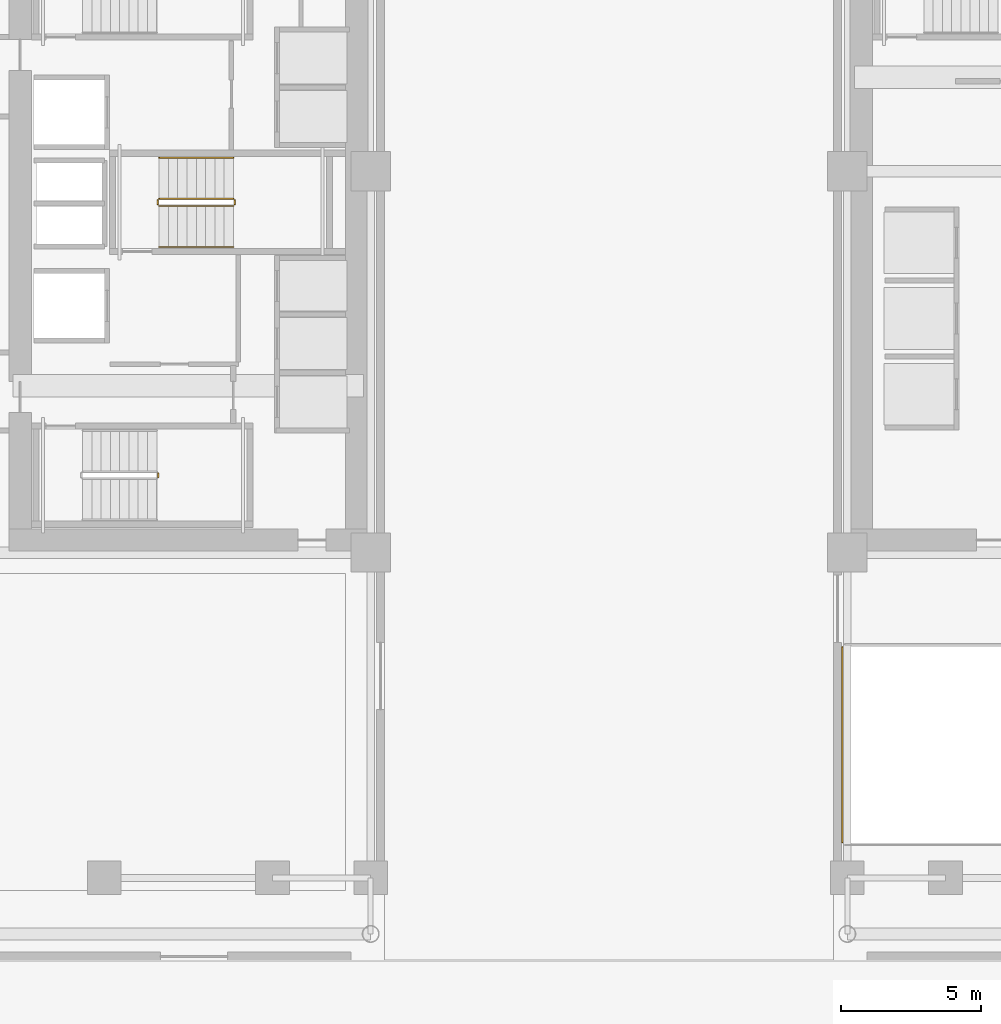
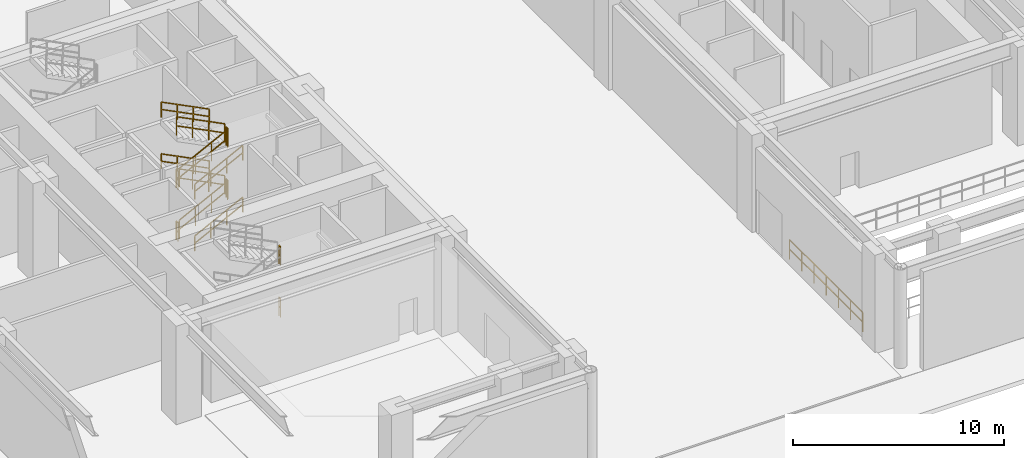
# One storey, part 12 of 17: 15 railings.
"""IFC4 building model written with IfcOpenShell, lengths in metres."""

from ifc_helpers import new_model, si_unit, direction, frame, origin, origin_2d, place, context, subcontext, project, spatial, rectangle, extrude, material, type_object, element, save


model = new_model("IFC4")

# Units and contexts
model_context = context("Model", 3, precision=1e-05, world=origin(), true_north=direction((0.0, 1.0)))
body_context = subcontext(model_context, "Body", "Model", "MODEL_VIEW")
ifc_project = project(units=[si_unit("LENGTHUNIT", "METRE"), si_unit("AREAUNIT", "SQUARE_METRE"), si_unit("VOLUMEUNIT", "CUBIC_METRE"), si_unit("PLANEANGLEUNIT", "RADIAN"), si_unit("MASSUNIT", "GRAM", prefix="KILO")], contexts=[model_context])

# Site, building, storey
site_placement = place(None, origin())
site = spatial("IfcSite", under=ifc_project, at=site_placement, CompositionType="ELEMENT")
building_placement = place(site_placement, origin())
building = spatial("IfcBuilding", under=site, at=building_placement, Name="Ocotamira Hotel", CompositionType="ELEMENT")
storey_placement = place(building_placement, origin())
storey = spatial("IfcBuildingStorey", under=building, at=storey_placement, Name="L01", CompositionType="ELEMENT", Elevation=0.0)

# Railings
ifc_material_1 = material(Name="Painted steel stair guardrail", Category="steel")
railing_type_1 = type_object("IfcRailingType", Name="RL-EDGE-1150", PredefinedType="GUARDRAIL", material=ifc_material_1)
railing_1_placement = place(storey_placement, frame((40.320068359375, 11.179931640625, 0.0)))
element("IfcRailing", 1, at=railing_1_placement, inside=storey, type_object=railing_type_1, Name="L01 Vehicle Ramp Well Guardrail W", PredefinedType="GUARDRAIL", context=body_context, shape_type="SweptSolid", body=[
    extrude(rectangle(XDim=0.048095703125, YDim=0.048095703125, at=origin_2d()), frame((0.0, 0.0, 1.1259765625), z_axis=(0.0, -1.0, 0.0), x_axis=(1.0, 0.0, 0.0)), (0.0, 0.0, 1.0), 6.9599609375),
    extrude(rectangle(XDim=0.048095703125, YDim=0.048095703125, at=origin_2d()), frame((0.0, 0.0, 0.574951171875), z_axis=(0.0, -1.0, 0.0), x_axis=(1.0, 0.0, 0.0)), (0.0, 0.0, 1.0), 6.9599609375),
    extrude(rectangle(XDim=0.0419921875, YDim=0.0419921875, at=origin_2d()), origin(), (0.0, 0.0, 1.0), 1.101806640625),
    extrude(rectangle(XDim=0.0419921875, YDim=0.0419921875, at=origin_2d()), frame((0.0, -1.159912109375, 0.0)), (0.0, 0.0, 1.0), 1.101806640625),
    extrude(rectangle(XDim=0.0419921875, YDim=0.0419921875, at=origin_2d()), frame((0.0, -2.320068359375, 0.0)), (0.0, 0.0, 1.0), 1.101806640625),
    extrude(rectangle(XDim=0.0419921875, YDim=0.0419921875, at=origin_2d()), frame((0.0, -3.47998046875, 0.0)), (0.0, 0.0, 1.0), 1.101806640625),
    extrude(rectangle(XDim=0.0419921875, YDim=0.0419921875, at=origin_2d()), frame((0.0, -4.639892578125, 0.0)), (0.0, 0.0, 1.0), 1.101806640625),
    extrude(rectangle(XDim=0.0419921875, YDim=0.0419921875, at=origin_2d()), frame((0.0, -5.800048828125, 0.0)), (0.0, 0.0, 1.0), 1.101806640625),
    extrude(rectangle(XDim=0.0419921875, YDim=0.0419921875, at=origin_2d()), frame((0.0, -6.9599609375, 0.0)), (0.0, 0.0, 1.0), 1.101806640625),
])
ifc_material_2 = material(Name="Brushed stainless steel handrail", Category="steel")
railing_type_2 = type_object("IfcRailingType", Name="RL-HAND-900", PredefinedType="HANDRAIL", material=ifc_material_2)
railing_2_placement = place(storey_placement, frame((15.9599609375, 25.449951171875, 0.333251953125)))
element("IfcRailing", 2, at=railing_2_placement, inside=storey, type_object=railing_type_2, Name="L01 ST-3 stair handrail 1", PredefinedType="HANDRAIL", context=body_context, shape_type="SweptSolid", body=[
    extrude(rectangle(XDim=0.048095703125, YDim=0.048095703125, at=origin_2d()), frame((0.0, 0.0, 0.8759765625), z_axis=(0.892603904193, 0.0, 0.450841735223), x_axis=(0.0, 1.0, 0.0)), (0.0, 0.0, 1.0), 2.957763671875),
    extrude(rectangle(XDim=0.048095703125, YDim=0.048095703125, at=origin_2d()), frame((0.0, 0.0, 0.449951171875), z_axis=(0.892603904193, 0.0, 0.450841735223), x_axis=(0.0, 1.0, 0.0)), (0.0, 0.0, 1.0), 2.957763671875),
    extrude(rectangle(XDim=0.0419921875, YDim=0.0419921875, at=origin_2d()), origin(), (0.0, 0.0, 1.0), 0.851806640625),
    extrude(rectangle(XDim=0.0419921875, YDim=0.0419921875, at=origin_2d()), frame((0.880126953125, 0.0, 0.444580078125)), (0.0, 0.0, 1.0), 0.851806640625),
    extrude(rectangle(XDim=0.0419921875, YDim=0.0419921875, at=origin_2d()), frame((1.760009765625, 0.0, 0.888916015625)), (0.0, 0.0, 1.0), 0.851806640625),
    extrude(rectangle(XDim=0.0419921875, YDim=0.0419921875, at=origin_2d()), frame((2.64013671875, 0.0, 1.33349609375)), (0.0, 0.0, 1.0), 0.851806640625),
])
railing_3_placement = place(storey_placement, frame((18.60009765625, 28.6298828125, 1.833251953125)))
element("IfcRailing", 3, at=railing_3_placement, inside=storey, type_object=railing_type_2, Name="L01 ST-3 stair handrail 2", PredefinedType="HANDRAIL", context=body_context, shape_type="SweptSolid", body=[
    extrude(rectangle(XDim=0.048095703125, YDim=0.048095703125, at=origin_2d()), frame((0.0, 0.0, 0.8759765625), z_axis=(-0.892603904193, 0.0, 0.450841735223), x_axis=(0.0, -1.0, 0.0)), (0.0, 0.0, 1.0), 2.957763671875),
    extrude(rectangle(XDim=0.048095703125, YDim=0.048095703125, at=origin_2d()), frame((0.0, 0.0, 0.449951171875), z_axis=(-0.892603904193, 0.0, 0.450841735223), x_axis=(0.0, -1.0, 0.0)), (0.0, 0.0, 1.0), 2.957763671875),
    extrude(rectangle(XDim=0.0419921875, YDim=0.0419921875, at=origin_2d()), origin(), (0.0, 0.0, 1.0), 0.851806640625),
    extrude(rectangle(XDim=0.0419921875, YDim=0.0419921875, at=origin_2d()), frame((-0.880126953125, 0.0, 0.444580078125)), (0.0, 0.0, 1.0), 0.851806640625),
    extrude(rectangle(XDim=0.0419921875, YDim=0.0419921875, at=origin_2d()), frame((-1.760009765625, 0.0, 0.888916015625)), (0.0, 0.0, 1.0), 0.851806640625),
    extrude(rectangle(XDim=0.0419921875, YDim=0.0419921875, at=origin_2d()), frame((-2.64013671875, 0.0, 1.33349609375)), (0.0, 0.0, 1.0), 0.851806640625),
])
railing_4_placement = place(storey_placement, frame((15.9599609375, 25.449951171875, 3.333251953125)))
element("IfcRailing", 4, at=railing_4_placement, inside=storey, type_object=railing_type_2, Name="L01 ST-3 stair handrail 3", PredefinedType="HANDRAIL", context=body_context, shape_type="SweptSolid", body=[
    extrude(rectangle(XDim=0.048095703125, YDim=0.048095703125, at=origin_2d()), frame((0.0, 0.0, 0.8759765625), z_axis=(0.892603904193, 0.0, 0.450841735223), x_axis=(0.0, 1.0, 0.0)), (0.0, 0.0, 1.0), 2.957763671875),
    extrude(rectangle(XDim=0.048095703125, YDim=0.048095703125, at=origin_2d()), frame((0.0, 0.0, 0.449951171875), z_axis=(0.892603904193, 0.0, 0.450841735223), x_axis=(0.0, 1.0, 0.0)), (0.0, 0.0, 1.0), 2.957763671875),
    extrude(rectangle(XDim=0.0419921875, YDim=0.0419921875, at=origin_2d()), origin(), (0.0, 0.0, 1.0), 0.851806640625),
    extrude(rectangle(XDim=0.0419921875, YDim=0.0419921875, at=origin_2d()), frame((0.880126953125, 0.0, 0.444580078125)), (0.0, 0.0, 1.0), 0.851806640625),
    extrude(rectangle(XDim=0.0419921875, YDim=0.0419921875, at=origin_2d()), frame((1.760009765625, 0.0, 0.888916015625)), (0.0, 0.0, 1.0), 0.851806640625),
    extrude(rectangle(XDim=0.0419921875, YDim=0.0419921875, at=origin_2d()), frame((2.64013671875, 0.0, 1.33349609375)), (0.0, 0.0, 1.0), 0.851806640625),
])
railing_5_placement = place(storey_placement, frame((18.60009765625, 28.6298828125, 4.833251953125)))
element("IfcRailing", 5, at=railing_5_placement, inside=storey, type_object=railing_type_2, Name="L01 ST-3 stair handrail 4", PredefinedType="HANDRAIL", context=body_context, shape_type="SweptSolid", body=[
    extrude(rectangle(XDim=0.048095703125, YDim=0.048095703125, at=origin_2d()), frame((0.0, 0.0, 0.8759765625), z_axis=(-0.892603904193, 0.0, 0.450841735223), x_axis=(0.0, -1.0, 0.0)), (0.0, 0.0, 1.0), 2.957763671875),
    extrude(rectangle(XDim=0.048095703125, YDim=0.048095703125, at=origin_2d()), frame((0.0, 0.0, 0.449951171875), z_axis=(-0.892603904193, 0.0, 0.450841735223), x_axis=(0.0, -1.0, 0.0)), (0.0, 0.0, 1.0), 2.957763671875),
    extrude(rectangle(XDim=0.0419921875, YDim=0.0419921875, at=origin_2d()), origin(), (0.0, 0.0, 1.0), 0.851806640625),
    extrude(rectangle(XDim=0.0419921875, YDim=0.0419921875, at=origin_2d()), frame((-0.880126953125, 0.0, 0.444580078125)), (0.0, 0.0, 1.0), 0.851806640625),
    extrude(rectangle(XDim=0.0419921875, YDim=0.0419921875, at=origin_2d()), frame((-1.760009765625, 0.0, 0.888916015625)), (0.0, 0.0, 1.0), 0.851806640625),
    extrude(rectangle(XDim=0.0419921875, YDim=0.0419921875, at=origin_2d()), frame((-2.64013671875, 0.0, 1.33349609375)), (0.0, 0.0, 1.0), 0.851806640625),
])
railing_type_3 = type_object("IfcRailingType", Name="RL-STAIR-1100", PredefinedType="GUARDRAIL", material=ifc_material_1)
for number, where, name in (
    (6, (15.919921875, 17.22998046875, 1.5), "L01 ST-1 stair guard 2"),
    (7, (15.919921875, 17.22998046875, 4.5), "L01 ST-1 stair guard 6"),
):
    element("IfcRailing", number, at=place(storey_placement, frame(where)), inside=storey, type_object=railing_type_3, Name=name, PredefinedType="GUARDRAIL", context=body_context, shape_type="SweptSolid", body=[
        extrude(rectangle(XDim=0.048095703125, YDim=0.048095703125, at=origin_2d()), frame((0.0, 0.0, 1.076171875), z_axis=(0.0, 1.0, 0.0), x_axis=(-1.0, 0.0, 0.0)), (0.0, 0.0, 1.0), 0.159912109375),
        extrude(rectangle(XDim=0.048095703125, YDim=0.048095703125, at=origin_2d()), frame((0.0, 0.0, 0.550048828125), z_axis=(0.0, 1.0, 0.0), x_axis=(-1.0, 0.0, 0.0)), (0.0, 0.0, 1.0), 0.159912109375),
        extrude(rectangle(XDim=0.0419921875, YDim=0.0419921875, at=origin_2d()), origin(), (0.0, 0.0, 1.0), 1.052001953125),
        extrude(rectangle(XDim=0.0419921875, YDim=0.0419921875, at=origin_2d()), frame((0.0, 0.159912109375, 0.0)), (0.0, 0.0, 1.0), 1.052001953125),
    ])
railing_6_placement = place(storey_placement, frame((15.9599609375, 26.909912109375, 0.166748046875)))
element("IfcRailing", 8, at=railing_6_placement, inside=storey, type_object=railing_type_3, Name="L01 ST-3 stair guard 1", PredefinedType="GUARDRAIL", context=body_context, shape_type="SweptSolid", body=[
    extrude(rectangle(XDim=0.048095703125, YDim=0.048095703125, at=origin_2d()), frame((0.0, 0.0, 1.076171875), z_axis=(0.892637119617, 0.0, 0.450775967286), x_axis=(0.0, 1.0, 0.0)), (0.0, 0.0, 1.0), 2.957763671875),
    extrude(rectangle(XDim=0.048095703125, YDim=0.048095703125, at=origin_2d()), frame((0.0, 0.0, 0.550048828125), z_axis=(0.892637119617, 0.0, 0.450775967286), x_axis=(0.0, 1.0, 0.0)), (0.0, 0.0, 1.0), 2.957763671875),
    extrude(rectangle(XDim=0.0419921875, YDim=0.0419921875, at=origin_2d()), origin(), (0.0, 0.0, 1.0), 1.052001953125),
    extrude(rectangle(XDim=0.0419921875, YDim=0.0419921875, at=origin_2d()), frame((0.880126953125, 0.0, 0.4443359375)), (0.0, 0.0, 1.0), 1.052001953125),
    extrude(rectangle(XDim=0.0419921875, YDim=0.0419921875, at=origin_2d()), frame((1.760009765625, 0.0, 0.888916015625)), (0.0, 0.0, 1.0), 1.052001953125),
    extrude(rectangle(XDim=0.0419921875, YDim=0.0419921875, at=origin_2d()), frame((2.64013671875, 0.0, 1.333251953125)), (0.0, 0.0, 1.0), 1.052001953125),
])
railing_7_placement = place(storey_placement, frame((18.64990234375, 26.9599609375, 1.5)))
element("IfcRailing", 9, at=railing_7_placement, inside=storey, type_object=railing_type_3, Name="L01 ST-3 stair guard 2", PredefinedType="GUARDRAIL", context=body_context, shape_type="SweptSolid", body=[
    extrude(rectangle(XDim=0.048095703125, YDim=0.048095703125, at=origin_2d()), frame((0.0, 0.0, 1.076171875), z_axis=(0.0, 1.0, 0.0), x_axis=(-1.0, 0.0, 0.0)), (0.0, 0.0, 1.0), 0.16015625),
    extrude(rectangle(XDim=0.048095703125, YDim=0.048095703125, at=origin_2d()), frame((0.0, 0.0, 0.550048828125), z_axis=(0.0, 1.0, 0.0), x_axis=(-1.0, 0.0, 0.0)), (0.0, 0.0, 1.0), 0.16015625),
    extrude(rectangle(XDim=0.0419921875, YDim=0.0419921875, at=origin_2d()), origin(), (0.0, 0.0, 1.0), 1.052001953125),
    extrude(rectangle(XDim=0.0419921875, YDim=0.0419921875, at=origin_2d()), frame((0.0, 0.16015625, 0.0)), (0.0, 0.0, 1.0), 1.052001953125),
])
railing_8_placement = place(storey_placement, frame((18.60009765625, 27.169921875, 1.666748046875)))
element("IfcRailing", 10, at=railing_8_placement, inside=storey, type_object=railing_type_3, Name="L01 ST-3 stair guard 3", PredefinedType="GUARDRAIL", context=body_context, shape_type="SweptSolid", body=[
    extrude(rectangle(XDim=0.048095703125, YDim=0.048095703125, at=origin_2d()), frame((0.0, 0.0, 1.076171875), z_axis=(-0.892637119617, 0.0, 0.450775967286), x_axis=(0.0, -1.0, 0.0)), (0.0, 0.0, 1.0), 2.957763671875),
    extrude(rectangle(XDim=0.048095703125, YDim=0.048095703125, at=origin_2d()), frame((0.0, 0.0, 0.550048828125), z_axis=(-0.892637119617, 0.0, 0.450775967286), x_axis=(0.0, -1.0, 0.0)), (0.0, 0.0, 1.0), 2.957763671875),
    extrude(rectangle(XDim=0.0419921875, YDim=0.0419921875, at=origin_2d()), origin(), (0.0, 0.0, 1.0), 1.052001953125),
    extrude(rectangle(XDim=0.0419921875, YDim=0.0419921875, at=origin_2d()), frame((-0.880126953125, 0.0, 0.4443359375)), (0.0, 0.0, 1.0), 1.052001953125),
    extrude(rectangle(XDim=0.0419921875, YDim=0.0419921875, at=origin_2d()), frame((-1.760009765625, 0.0, 0.888916015625)), (0.0, 0.0, 1.0), 1.052001953125),
    extrude(rectangle(XDim=0.0419921875, YDim=0.0419921875, at=origin_2d()), frame((-2.64013671875, 0.0, 1.333251953125)), (0.0, 0.0, 1.0), 1.052001953125),
])
railing_9_placement = place(storey_placement, frame((15.909912109375, 26.9599609375, 3.0)))
element("IfcRailing", 11, at=railing_9_placement, inside=storey, type_object=railing_type_3, Name="L01 ST-3 stair guard 4", PredefinedType="GUARDRAIL", context=body_context, shape_type="SweptSolid", body=[
    extrude(rectangle(XDim=0.048095703125, YDim=0.048095703125, at=origin_2d()), frame((0.0, 0.0, 1.076171875), z_axis=(0.0, 1.0, 0.0), x_axis=(-1.0, 0.0, 0.0)), (0.0, 0.0, 1.0), 0.16015625),
    extrude(rectangle(XDim=0.048095703125, YDim=0.048095703125, at=origin_2d()), frame((0.0, 0.0, 0.550048828125), z_axis=(0.0, 1.0, 0.0), x_axis=(-1.0, 0.0, 0.0)), (0.0, 0.0, 1.0), 0.16015625),
    extrude(rectangle(XDim=0.0419921875, YDim=0.0419921875, at=origin_2d()), origin(), (0.0, 0.0, 1.0), 1.052001953125),
    extrude(rectangle(XDim=0.0419921875, YDim=0.0419921875, at=origin_2d()), frame((0.0, 0.16015625, 0.0)), (0.0, 0.0, 1.0), 1.052001953125),
])
railing_10_placement = place(storey_placement, frame((15.9599609375, 26.909912109375, 3.166748046875)))
element("IfcRailing", 12, at=railing_10_placement, inside=storey, type_object=railing_type_3, Name="L01 ST-3 stair guard 5", PredefinedType="GUARDRAIL", context=body_context, shape_type="SweptSolid", body=[
    extrude(rectangle(XDim=0.048095703125, YDim=0.048095703125, at=origin_2d()), frame((0.0, 0.0, 1.076171875), z_axis=(0.892637119617, 0.0, 0.450775967286), x_axis=(0.0, 1.0, 0.0)), (0.0, 0.0, 1.0), 2.957763671875),
    extrude(rectangle(XDim=0.048095703125, YDim=0.048095703125, at=origin_2d()), frame((0.0, 0.0, 0.550048828125), z_axis=(0.892637119617, 0.0, 0.450775967286), x_axis=(0.0, 1.0, 0.0)), (0.0, 0.0, 1.0), 2.957763671875),
    extrude(rectangle(XDim=0.0419921875, YDim=0.0419921875, at=origin_2d()), origin(), (0.0, 0.0, 1.0), 1.052001953125),
    extrude(rectangle(XDim=0.0419921875, YDim=0.0419921875, at=origin_2d()), frame((0.880126953125, 0.0, 0.4443359375)), (0.0, 0.0, 1.0), 1.052001953125),
    extrude(rectangle(XDim=0.0419921875, YDim=0.0419921875, at=origin_2d()), frame((1.760009765625, 0.0, 0.888916015625)), (0.0, 0.0, 1.0), 1.052001953125),
    extrude(rectangle(XDim=0.0419921875, YDim=0.0419921875, at=origin_2d()), frame((2.64013671875, 0.0, 1.333251953125)), (0.0, 0.0, 1.0), 1.052001953125),
])
railing_11_placement = place(storey_placement, frame((18.64990234375, 26.9599609375, 4.5)))
element("IfcRailing", 13, at=railing_11_placement, inside=storey, type_object=railing_type_3, Name="L01 ST-3 stair guard 6", PredefinedType="GUARDRAIL", context=body_context, shape_type="SweptSolid", body=[
    extrude(rectangle(XDim=0.048095703125, YDim=0.048095703125, at=origin_2d()), frame((0.0, 0.0, 1.076171875), z_axis=(0.0, 1.0, 0.0), x_axis=(-1.0, 0.0, 0.0)), (0.0, 0.0, 1.0), 0.16015625),
    extrude(rectangle(XDim=0.048095703125, YDim=0.048095703125, at=origin_2d()), frame((0.0, 0.0, 0.550048828125), z_axis=(0.0, 1.0, 0.0), x_axis=(-1.0, 0.0, 0.0)), (0.0, 0.0, 1.0), 0.16015625),
    extrude(rectangle(XDim=0.0419921875, YDim=0.0419921875, at=origin_2d()), origin(), (0.0, 0.0, 1.0), 1.052001953125),
    extrude(rectangle(XDim=0.0419921875, YDim=0.0419921875, at=origin_2d()), frame((0.0, 0.16015625, 0.0)), (0.0, 0.0, 1.0), 1.052001953125),
])
railing_12_placement = place(storey_placement, frame((18.60009765625, 27.169921875, 4.666748046875)))
element("IfcRailing", 14, at=railing_12_placement, inside=storey, type_object=railing_type_3, Name="L01 ST-3 stair guard 7", PredefinedType="GUARDRAIL", context=body_context, shape_type="SweptSolid", body=[
    extrude(rectangle(XDim=0.048095703125, YDim=0.048095703125, at=origin_2d()), frame((0.0, 0.0, 1.076171875), z_axis=(-0.892637119617, 0.0, 0.450775967286), x_axis=(0.0, -1.0, 0.0)), (0.0, 0.0, 1.0), 2.957763671875),
    extrude(rectangle(XDim=0.048095703125, YDim=0.048095703125, at=origin_2d()), frame((0.0, 0.0, 0.550048828125), z_axis=(-0.892637119617, 0.0, 0.450775967286), x_axis=(0.0, -1.0, 0.0)), (0.0, 0.0, 1.0), 2.957763671875),
    extrude(rectangle(XDim=0.0419921875, YDim=0.0419921875, at=origin_2d()), origin(), (0.0, 0.0, 1.0), 1.052001953125),
    extrude(rectangle(XDim=0.0419921875, YDim=0.0419921875, at=origin_2d()), frame((-0.880126953125, 0.0, 0.4443359375)), (0.0, 0.0, 1.0), 1.052001953125),
    extrude(rectangle(XDim=0.0419921875, YDim=0.0419921875, at=origin_2d()), frame((-1.760009765625, 0.0, 0.888916015625)), (0.0, 0.0, 1.0), 1.052001953125),
    extrude(rectangle(XDim=0.0419921875, YDim=0.0419921875, at=origin_2d()), frame((-2.64013671875, 0.0, 1.333251953125)), (0.0, 0.0, 1.0), 1.052001953125),
])
railing_13_placement = place(storey_placement, frame((15.909912109375, 26.9599609375, 0.0)))
element("IfcRailing", 15, at=railing_13_placement, inside=storey, type_object=railing_type_3, Name="L01 ST-3 stair guard 8", PredefinedType="GUARDRAIL", context=body_context, shape_type="SweptSolid", body=[
    extrude(rectangle(XDim=0.048095703125, YDim=0.048095703125, at=origin_2d()), frame((0.0, 0.0, 1.076171875), z_axis=(0.0, 1.0, 0.0), x_axis=(-1.0, 0.0, 0.0)), (0.0, 0.0, 1.0), 0.16015625),
    extrude(rectangle(XDim=0.048095703125, YDim=0.048095703125, at=origin_2d()), frame((0.0, 0.0, 0.550048828125), z_axis=(0.0, 1.0, 0.0), x_axis=(-1.0, 0.0, 0.0)), (0.0, 0.0, 1.0), 0.16015625),
    extrude(rectangle(XDim=0.0419921875, YDim=0.0419921875, at=origin_2d()), origin(), (0.0, 0.0, 1.0), 1.052001953125),
    extrude(rectangle(XDim=0.0419921875, YDim=0.0419921875, at=origin_2d()), frame((0.0, 0.16015625, 0.0)), (0.0, 0.0, 1.0), 1.052001953125),
])

save(model, "model.ifc")
